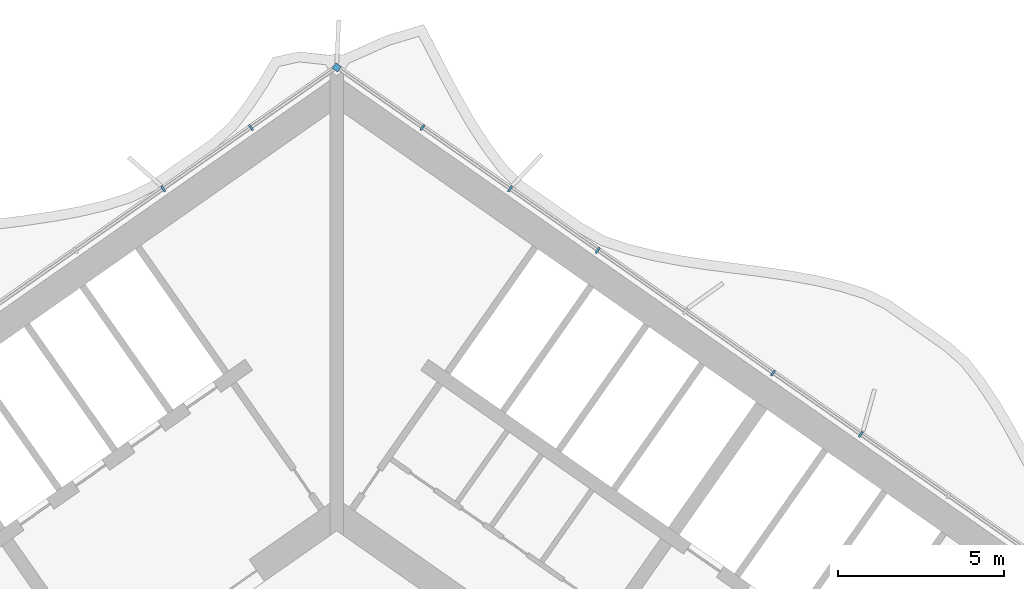
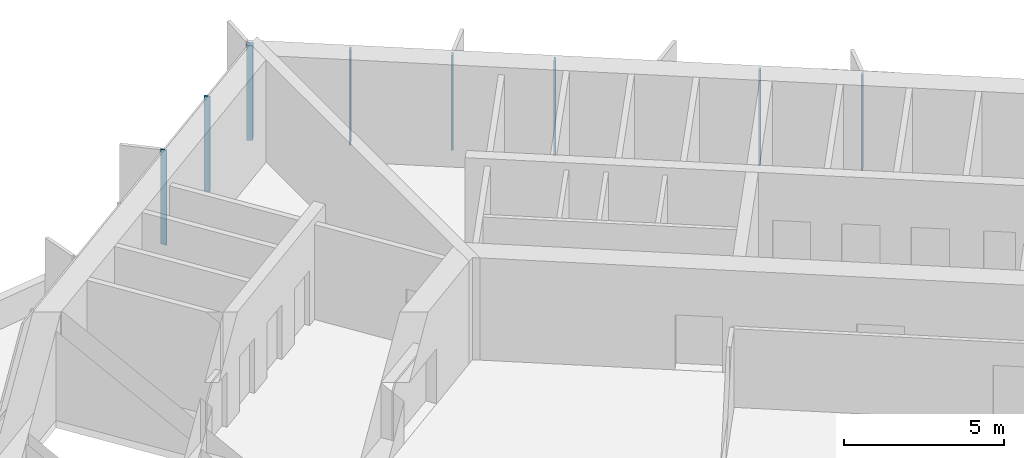
# One storey, part 9 of 23: 8 members, 1 element without a shape of its own.
"""IFC4 building model written with IfcOpenShell, lengths in metres."""

from ifc_helpers import new_model, si_unit, direction, frame, origin, origin_2d, place, context, subcontext, project, spatial, rectangle, extrude, material, material_profile, profile_set, type_object, element, aggregate, save


model = new_model("IFC4")

# Units and contexts
model_context = context("Model", 3, precision=1e-05, world=origin(), true_north=direction((0.0, 1.0)))
body_context = subcontext(model_context, "Body", "Model", "MODEL_VIEW")
ifc_project = project(units=[si_unit("LENGTHUNIT", "METRE"), si_unit("AREAUNIT", "SQUARE_METRE"), si_unit("VOLUMEUNIT", "CUBIC_METRE"), si_unit("PLANEANGLEUNIT", "RADIAN"), si_unit("MASSUNIT", "GRAM", prefix="KILO")], contexts=[model_context])

# Site, building, storey
site_placement = place(None, origin())
site = spatial("IfcSite", under=ifc_project, at=site_placement, CompositionType="ELEMENT")
building_placement = place(site_placement, origin())
building = spatial("IfcBuilding", under=site, at=building_placement, Name="Tel Ilan Convention Tower", CompositionType="ELEMENT")
storey_placement = place(building_placement, frame((0.0, 0.0, 182.699951171875)))
storey = spatial("IfcBuildingStorey", under=building, at=storey_placement, Name="L42", CompositionType="ELEMENT", Elevation=182.699951171875)

# Curtain wall, members
ifc_material_1 = material(Name="Aluminium, bronze anodised", Category="aluminium")
curtain_wall_type = type_object("IfcCurtainWallType", Name="CW2 STICK CURTAIN WALL, SPANDREL PANELS", PredefinedType="NOTDEFINED", material=ifc_material_1)
curtain_wall_placement = place(storey_placement, origin())
curtain_wall = element("IfcCurtainWall", 1, at=curtain_wall_placement, inside=storey, type_object=curtain_wall_type, Name="Curtain wall CW2-32.01", PredefinedType="NOTDEFINED")
ifc_material_2 = material(Name="Aluminium, bronze anodised", Category="aluminium")
ifc_material_profile_1 = material_profile(ifc_material_2, rectangle(XDim=0.199951171875, YDim=0.199951171875, at=origin_2d()), Name="CW CORNER MULLION 200x200")
ifc_profile_set_1 = profile_set([ifc_material_profile_1], Name="Aluminium, bronze anodised")
member_type_1 = type_object("IfcMemberType", Name="CW CORNER MULLION 200x200", PredefinedType="MULLION", material=ifc_profile_set_1)
member_1_placement = place(storey_placement, frame((0.0, 12.696044921875, 0.0), z_axis=(0.0, 0.0, 1.0), x_axis=(-0.819152044289, 0.573576436351, 0.0)))
member_1 = element("IfcMember", 2, at=member_1_placement, type_object=member_type_1, Name="Corner mullion", PredefinedType="MULLION", context=body_context, shape_type="SweptSolid", body=[
    extrude(rectangle(XDim=0.199951171875, YDim=0.199951171875, at=origin_2d()), origin(), (0.0, 0.0, 1.0), 3.6201171875),
])
ifc_material_3 = material(Name="Aluminium, bronze anodised", Category="aluminium")
ifc_material_profile_2 = material_profile(ifc_material_3, rectangle(XDim=0.06005859375, YDim=0.199951171875, at=origin_2d()), Name="CW MULLION 60x200")
ifc_profile_set_2 = profile_set([ifc_material_profile_2], Name="Aluminium, bronze anodised")
member_type_2 = type_object("IfcMemberType", Name="CW MULLION 60x200", PredefinedType="MULLION", material=ifc_profile_set_2)
member_2_placement = place(storey_placement, frame((15.73828125, 1.676025390625, 0.0), z_axis=(0.0, 0.0, 1.0), x_axis=(-0.819152044289, 0.573576436351, 0.0)))
member_2 = element("IfcMember", 3, at=member_2_placement, type_object=member_type_2, Name="Mullion", PredefinedType="MULLION", context=body_context, shape_type="SweptSolid", body=[
    extrude(rectangle(XDim=0.06005859375, YDim=0.199951171875, at=origin_2d()), origin(), (0.0, 0.0, 1.0), 3.6201171875),
])
member_3_placement = place(storey_placement, frame((13.105712890625, 3.519287109375, 0.0), z_axis=(0.0, 0.0, 1.0), x_axis=(-0.819152044289, 0.573576436351, 0.0)))
member_3 = element("IfcMember", 4, at=member_3_placement, type_object=member_type_2, Name="Mullion", PredefinedType="MULLION", context=body_context, shape_type="SweptSolid", body=[
    extrude(rectangle(XDim=0.06005859375, YDim=0.199951171875, at=origin_2d()), origin(), (0.0, 0.0, 1.0), 3.6201171875),
])
member_4_placement = place(storey_placement, frame((7.840576171875, 7.2060546875, 0.0), z_axis=(0.0, 0.0, 1.0), x_axis=(-0.819152044289, 0.573576436351, 0.0)))
member_4 = element("IfcMember", 5, at=member_4_placement, type_object=member_type_2, Name="Mullion", PredefinedType="MULLION", context=body_context, shape_type="SweptSolid", body=[
    extrude(rectangle(XDim=0.06005859375, YDim=0.199951171875, at=origin_2d()), origin(), (0.0, 0.0, 1.0), 3.6201171875),
])
member_5_placement = place(storey_placement, frame((5.207763671875, 9.049560546875, 0.0), z_axis=(0.0, 0.0, 1.0), x_axis=(-0.819152044289, 0.573576436351, 0.0)))
member_5 = element("IfcMember", 6, at=member_5_placement, type_object=member_type_2, Name="Mullion", PredefinedType="MULLION", context=body_context, shape_type="SweptSolid", body=[
    extrude(rectangle(XDim=0.06005859375, YDim=0.199951171875, at=origin_2d()), origin(), (0.0, 0.0, 1.0), 3.6201171875),
])
member_6_placement = place(storey_placement, frame((2.5751953125, 10.892822265625, 0.0), z_axis=(0.0, 0.0, 1.0), x_axis=(-0.819152044289, 0.573576436351, 0.0)))
member_6 = element("IfcMember", 7, at=member_6_placement, type_object=member_type_2, Name="Mullion", PredefinedType="MULLION", context=body_context, shape_type="SweptSolid", body=[
    extrude(rectangle(XDim=0.06005859375, YDim=0.199951171875, at=origin_2d()), origin(), (0.0, 0.0, 1.0), 3.6201171875),
])
member_7_placement = place(storey_placement, frame((-2.5751953125, 10.892822265625, 0.0), z_axis=(0.0, 0.0, 1.0), x_axis=(-0.819152044289, -0.573576436351, 0.0)))
member_7 = element("IfcMember", 8, at=member_7_placement, type_object=member_type_2, Name="Mullion", PredefinedType="MULLION", context=body_context, shape_type="SweptSolid", body=[
    extrude(rectangle(XDim=0.06005859375, YDim=0.199951171875, at=origin_2d()), origin(), (0.0, 0.0, 1.0), 3.6201171875),
])
member_8_placement = place(storey_placement, frame((-5.207763671875, 9.049560546875, 0.0), z_axis=(0.0, 0.0, 1.0), x_axis=(-0.819152044289, -0.573576436351, 0.0)))
member_8 = element("IfcMember", 9, at=member_8_placement, type_object=member_type_2, Name="Mullion", PredefinedType="MULLION", context=body_context, shape_type="SweptSolid", body=[
    extrude(rectangle(XDim=0.06005859375, YDim=0.199951171875, at=origin_2d()), origin(), (0.0, 0.0, 1.0), 3.6201171875),
])
aggregate(curtain_wall, [member_2, member_3, member_4, member_5, member_6, member_1, member_7, member_8])

save(model, "model.ifc")
